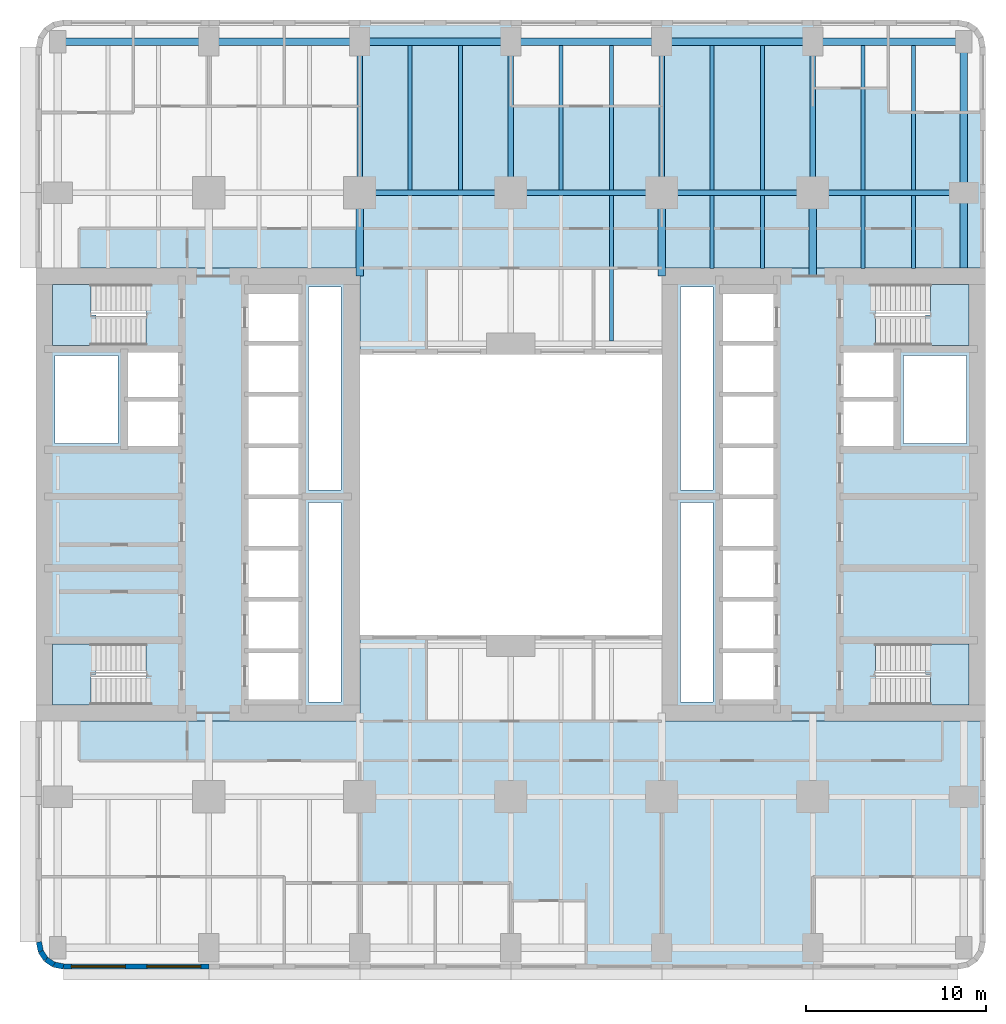
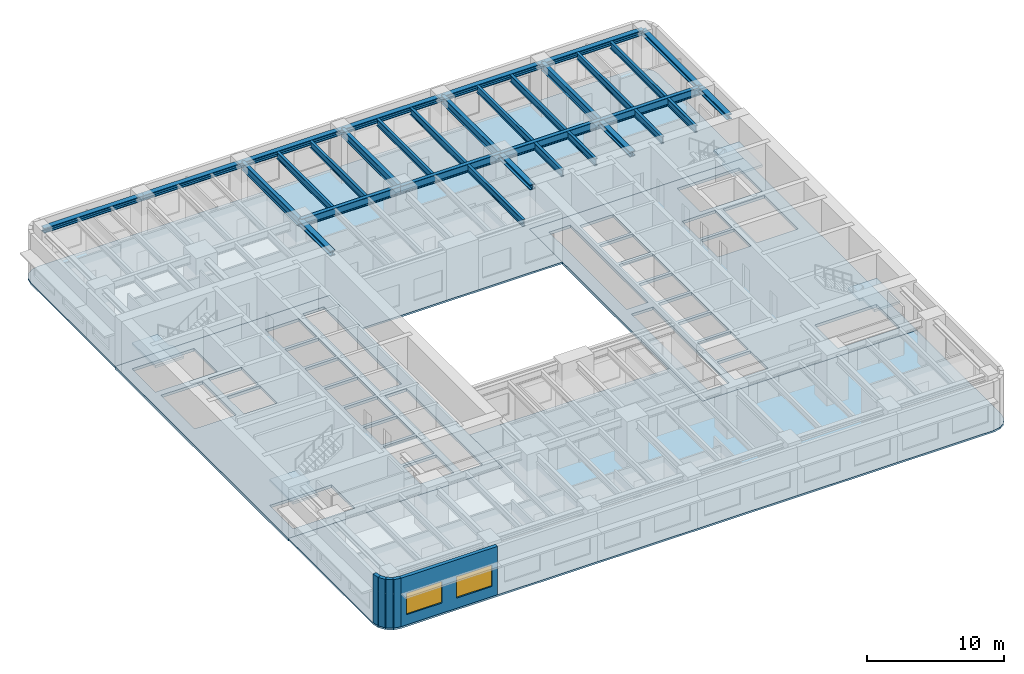
# One storey, part 2 of 13: 32 beams, 8 slabs, 5 walls, 2 windows, 2 openings, 4 elements without a shape of their own.
"""IFC4 building model written with IfcOpenShell, lengths in metres."""

from ifc_helpers import new_model, si_unit, direction, frame, frame_2d, origin, origin_2d, place, context, subcontext, project, spatial, polyline, rectangle, i_section, outline, extrude, material, layer, layer_set, material_profile, profile_set, type_object, element, fill, aggregate, save


model = new_model("IFC4")

# Units and contexts
model_context = context("Model", 3, precision=1e-05, world=origin(), true_north=direction((0.0, 1.0)))
body_context = subcontext(model_context, "Body", "Model", "MODEL_VIEW")
ifc_project = project(units=[si_unit("LENGTHUNIT", "METRE"), si_unit("AREAUNIT", "SQUARE_METRE"), si_unit("VOLUMEUNIT", "CUBIC_METRE"), si_unit("PLANEANGLEUNIT", "RADIAN"), si_unit("MASSUNIT", "GRAM", prefix="KILO")], contexts=[model_context])

# Site, building, storey
site_placement = place(None, origin())
site = spatial("IfcSite", under=ifc_project, at=site_placement, CompositionType="ELEMENT")
building_placement = place(site_placement, origin())
building = spatial("IfcBuilding", under=site, at=building_placement, Name="Claustro Exchange Tower", CompositionType="ELEMENT")
storey_placement = place(building_placement, frame((0.0, 0.0, 86.39990234375)))
storey = spatial("IfcBuildingStorey", under=building, at=storey_placement, Name="L19", CompositionType="ELEMENT", Elevation=86.39990234375)

# Beams
ifc_material_1 = material(Name="Steel S355", Category="steel")
ifc_material_profile_1 = material_profile(ifc_material_1, i_section(OverallWidth=0.300048828125, OverallDepth=0.699951171875, WebThickness=0.01708984375, FlangeThickness=0.031982421875, FilletRadius=0.027099609375, at=origin_2d()), Name="HE 700 B")
ifc_profile_set_1 = profile_set([ifc_material_profile_1], Name="Steel S355")
beam_type_1 = type_object("IfcBeamType", Name="B4 HE 700 B floor girder", PredefinedType="BEAM", material=ifc_profile_set_1)
for number, where, z_axis, x_axis, name in (
    (1, (16.800048828125, 42.0, 3.9501953125), (0.0, 1.0, 0.0), (-1.0, 0.0, 0.0), "Beam B4 L20"),
    (2, (25.199951171875, 42.0, 3.9501953125), (0.0, 1.0, 0.0), (-1.0, 0.0, 0.0), "Beam B4 L20"),
    (3, (33.60009765625, 42.0, 3.9501953125), (0.0, 1.0, 0.0), (-1.0, 0.0, 0.0), "Beam B4 L20"),
    (4, (42.0, 42.0, 3.9501953125), (0.0, 1.0, 0.0), (-1.0, 0.0, 0.0), "Beam B4 L20"),
    (5, (16.800048828125, 42.0, 3.9501953125), (1.0, 0.0, 0.0), (0.0, 1.0, 0.0), "Beam B4 L20"),
):
    element("IfcBeam", number, at=place(storey_placement, frame(where, z_axis=z_axis, x_axis=x_axis)), inside=storey, type_object=beam_type_1, Name=name, PredefinedType="BEAM", context=body_context, shape_type="SweptSolid", body=[
        extrude(i_section(OverallWidth=0.300048828125, OverallDepth=0.699951171875, WebThickness=0.01708984375, FlangeThickness=0.031982421875, FilletRadius=0.027099609375, at=origin_2d()), origin(), (0.0, 0.0, 1.0), 8.39990234375),
    ])
beam_1_placement = place(storey_placement, frame((25.199951171875, 42.0, 3.9501953125), z_axis=(1.0, 0.0, 0.0), x_axis=(0.0, 1.0, 0.0)))
element("IfcBeam", 6, at=beam_1_placement, inside=storey, type_object=beam_type_1, Name="Beam B4 L20", PredefinedType="BEAM", context=body_context, shape_type="SweptSolid", body=[
    extrude(i_section(OverallWidth=0.300048828125, OverallDepth=0.699951171875, WebThickness=0.01708984375, FlangeThickness=0.031982421875, FilletRadius=0.027099609375, at=origin_2d()), origin(), (0.0, 0.0, 1.0), 8.400146484375),
])
for number, where, z_axis, x_axis, name in (
    (7, (33.60009765625, 42.0, 3.9501953125), (1.0, 0.0, 0.0), (0.0, 1.0, 0.0), "Beam B4 L20"),
    (8, (42.0, 42.0, 3.9501953125), (1.0, 0.0, 0.0), (0.0, 1.0, 0.0), "Beam B4 L20"),
):
    element("IfcBeam", number, at=place(storey_placement, frame(where, z_axis=z_axis, x_axis=x_axis)), inside=storey, type_object=beam_type_1, Name=name, PredefinedType="BEAM", context=body_context, shape_type="SweptSolid", body=[
        extrude(i_section(OverallWidth=0.300048828125, OverallDepth=0.699951171875, WebThickness=0.01708984375, FlangeThickness=0.031982421875, FilletRadius=0.027099609375, at=origin_2d()), origin(), (0.0, 0.0, 1.0), 8.39990234375),
    ])
ifc_material_2 = material(Name="Steel S355", Category="steel")
ifc_material_profile_2 = material_profile(ifc_material_2, i_section(OverallWidth=0.219970703125, OverallDepth=0.60009765625, WebThickness=0.011962890625, FlangeThickness=0.01904296875, FilletRadius=0.02392578125, at=origin_2d()), Name="IPE 600")
ifc_profile_set_2 = profile_set([ifc_material_profile_2], Name="Steel S355")
beam_type_2 = type_object("IfcBeamType", Name="B5 IPE 600 secondary beam", PredefinedType="BEAM", material=ifc_profile_set_2)
for number, where, z_axis, x_axis, name in (
    (9, (19.60009765625, 42.14990234375, 4.0), (0.0, 1.0, 0.0), (-1.0, 0.0, 0.0), "Beam B5 L20"),
    (10, (22.39990234375, 42.14990234375, 4.0), (0.0, 1.0, 0.0), (-1.0, 0.0, 0.0), "Beam B5 L20"),
):
    element("IfcBeam", number, at=place(storey_placement, frame(where, z_axis=z_axis, x_axis=x_axis)), inside=storey, type_object=beam_type_2, Name=name, PredefinedType="BEAM", context=body_context, shape_type="SweptSolid", body=[
        extrude(i_section(OverallWidth=0.219970703125, OverallDepth=0.60009765625, WebThickness=0.011962890625, FlangeThickness=0.01904296875, FilletRadius=0.02392578125, at=origin_2d()), origin(), (0.0, 0.0, 1.0), 8.0419921875),
    ])
beam_2_placement = place(storey_placement, frame((30.800048828125, 33.75, 4.0), z_axis=(0.0, 1.0, 0.0), x_axis=(-1.0, 0.0, 0.0)))
element("IfcBeam", 11, at=beam_2_placement, inside=storey, type_object=beam_type_2, Name="Beam B5 L20", PredefinedType="BEAM", context=body_context, shape_type="SweptSolid", body=[
    extrude(i_section(OverallWidth=0.219970703125, OverallDepth=0.60009765625, WebThickness=0.011962890625, FlangeThickness=0.01904296875, FilletRadius=0.02392578125, at=origin_2d()), origin(), (0.0, 0.0, 1.0), 8.10009765625),
])
for number, where, z_axis, x_axis, name in (
    (12, (28.0, 42.14990234375, 4.0), (0.0, 1.0, 0.0), (-1.0, 0.0, 0.0), "Beam B5 L20"),
    (13, (30.800048828125, 42.14990234375, 4.0), (0.0, 1.0, 0.0), (-1.0, 0.0, 0.0), "Beam B5 L20"),
):
    element("IfcBeam", number, at=place(storey_placement, frame(where, z_axis=z_axis, x_axis=x_axis)), inside=storey, type_object=beam_type_2, Name=name, PredefinedType="BEAM", context=body_context, shape_type="SweptSolid", body=[
        extrude(i_section(OverallWidth=0.219970703125, OverallDepth=0.60009765625, WebThickness=0.011962890625, FlangeThickness=0.01904296875, FilletRadius=0.02392578125, at=origin_2d()), origin(), (0.0, 0.0, 1.0), 8.0419921875),
    ])
for number, where, z_axis, x_axis, name in (
    (14, (36.39990234375, 37.7900390625, 4.0), (0.0, 1.0, 0.0), (-1.0, 0.0, 0.0), "Beam B5 L20"),
    (15, (39.199951171875, 37.7900390625, 4.0), (0.0, 1.0, 0.0), (-1.0, 0.0, 0.0), "Beam B5 L20"),
):
    element("IfcBeam", number, at=place(storey_placement, frame(where, z_axis=z_axis, x_axis=x_axis)), inside=storey, type_object=beam_type_2, Name=name, PredefinedType="BEAM", context=body_context, shape_type="SweptSolid", body=[
        extrude(i_section(OverallWidth=0.219970703125, OverallDepth=0.60009765625, WebThickness=0.011962890625, FlangeThickness=0.01904296875, FilletRadius=0.02392578125, at=origin_2d()), origin(), (0.0, 0.0, 1.0), 4.06005859375),
    ])
for number, where, z_axis, x_axis, name in (
    (16, (36.39990234375, 42.14990234375, 4.0), (0.0, 1.0, 0.0), (-1.0, 0.0, 0.0), "Beam B5 L20"),
    (17, (39.199951171875, 42.14990234375, 4.0), (0.0, 1.0, 0.0), (-1.0, 0.0, 0.0), "Beam B5 L20"),
):
    element("IfcBeam", number, at=place(storey_placement, frame(where, z_axis=z_axis, x_axis=x_axis)), inside=storey, type_object=beam_type_2, Name=name, PredefinedType="BEAM", context=body_context, shape_type="SweptSolid", body=[
        extrude(i_section(OverallWidth=0.219970703125, OverallDepth=0.60009765625, WebThickness=0.011962890625, FlangeThickness=0.01904296875, FilletRadius=0.02392578125, at=origin_2d()), origin(), (0.0, 0.0, 1.0), 8.0419921875),
    ])
for number, where, z_axis, x_axis, name in (
    (18, (44.800048828125, 37.7900390625, 4.0), (0.0, 1.0, 0.0), (-1.0, 0.0, 0.0), "Beam B5 L20"),
    (19, (47.60009765625, 37.7900390625, 4.0), (0.0, 1.0, 0.0), (-1.0, 0.0, 0.0), "Beam B5 L20"),
):
    element("IfcBeam", number, at=place(storey_placement, frame(where, z_axis=z_axis, x_axis=x_axis)), inside=storey, type_object=beam_type_2, Name=name, PredefinedType="BEAM", context=body_context, shape_type="SweptSolid", body=[
        extrude(i_section(OverallWidth=0.219970703125, OverallDepth=0.60009765625, WebThickness=0.011962890625, FlangeThickness=0.01904296875, FilletRadius=0.02392578125, at=origin_2d()), origin(), (0.0, 0.0, 1.0), 4.06005859375),
    ])
for number, where, z_axis, x_axis, name in (
    (20, (44.800048828125, 42.14990234375, 4.0), (0.0, 1.0, 0.0), (-1.0, 0.0, 0.0), "Beam B5 L20"),
    (21, (47.60009765625, 42.14990234375, 4.0), (0.0, 1.0, 0.0), (-1.0, 0.0, 0.0), "Beam B5 L20"),
):
    element("IfcBeam", number, at=place(storey_placement, frame(where, z_axis=z_axis, x_axis=x_axis)), inside=storey, type_object=beam_type_2, Name=name, PredefinedType="BEAM", context=body_context, shape_type="SweptSolid", body=[
        extrude(i_section(OverallWidth=0.219970703125, OverallDepth=0.60009765625, WebThickness=0.011962890625, FlangeThickness=0.01904296875, FilletRadius=0.02392578125, at=origin_2d()), origin(), (0.0, 0.0, 1.0), 8.0419921875),
    ])
ifc_material_3 = material(Name="Steel S460", Category="steel")
ifc_material_profile_3 = material_profile(ifc_material_3, i_section(OverallWidth=0.416015625, OverallDepth=0.446044921875, WebThickness=0.0390625, FlangeThickness=0.062744140625, FilletRadius=0.014892578125, at=origin_2d()), Name="HD 400x509")
ifc_profile_set_3 = profile_set([ifc_material_profile_3], Name="Steel S460")
beam_type_3 = type_object("IfcBeamType", Name="BT1 HD 400x509 belt truss chord", PredefinedType="BEAM", material=ifc_profile_set_3)
beam_3_placement = place(storey_placement, frame((50.39990234375, 37.800048828125, 4.0771484375), z_axis=(0.0, 1.0, 0.0), x_axis=(-1.0, 0.0, 0.0)))
element("IfcBeam", 22, at=beam_3_placement, inside=storey, type_object=beam_type_3, Name="Beam BT1 L20", PredefinedType="BEAM", context=body_context, shape_type="SweptSolid", body=[
    extrude(i_section(OverallWidth=0.416015625, OverallDepth=0.446044921875, WebThickness=0.0390625, FlangeThickness=0.062744140625, FilletRadius=0.014892578125, at=origin_2d()), origin(), (0.0, 0.0, 1.0), 4.199951171875),
])
for number, where, z_axis, x_axis, name in (
    (23, (50.39990234375, 42.0, 4.0771484375), (0.0, 1.0, 0.0), (-1.0, 0.0, 0.0), "Beam BT1 L20"),
    (24, (0.0, 50.39990234375, 4.0771484375), (1.0, 0.0, 0.0), (0.0, 1.0, 0.0), "Beam BT1 L20"),
):
    element("IfcBeam", number, at=place(storey_placement, frame(where, z_axis=z_axis, x_axis=x_axis)), inside=storey, type_object=beam_type_3, Name=name, PredefinedType="BEAM", context=body_context, shape_type="SweptSolid", body=[
        extrude(i_section(OverallWidth=0.416015625, OverallDepth=0.446044921875, WebThickness=0.0390625, FlangeThickness=0.062744140625, FilletRadius=0.014892578125, at=origin_2d()), origin(), (0.0, 0.0, 1.0), 8.39990234375),
    ])
beam_4_placement = place(storey_placement, frame((8.39990234375, 50.39990234375, 4.0771484375), z_axis=(1.0, 0.0, 0.0), x_axis=(0.0, 1.0, 0.0)))
element("IfcBeam", 25, at=beam_4_placement, inside=storey, type_object=beam_type_3, Name="Beam BT1 L20", PredefinedType="BEAM", context=body_context, shape_type="SweptSolid", body=[
    extrude(i_section(OverallWidth=0.416015625, OverallDepth=0.446044921875, WebThickness=0.0390625, FlangeThickness=0.062744140625, FilletRadius=0.014892578125, at=origin_2d()), origin(), (0.0, 0.0, 1.0), 8.400146484375),
])
beam_5_placement = place(storey_placement, frame((16.800048828125, 50.39990234375, 4.0771484375), z_axis=(1.0, 0.0, 0.0), x_axis=(0.0, 1.0, 0.0)))
element("IfcBeam", 26, at=beam_5_placement, inside=storey, type_object=beam_type_3, Name="Beam BT1 L20", PredefinedType="BEAM", context=body_context, shape_type="SweptSolid", body=[
    extrude(i_section(OverallWidth=0.416015625, OverallDepth=0.446044921875, WebThickness=0.0390625, FlangeThickness=0.062744140625, FilletRadius=0.014892578125, at=origin_2d()), origin(), (0.0, 0.0, 1.0), 8.39990234375),
])
beam_6_placement = place(storey_placement, frame((25.199951171875, 50.39990234375, 4.0771484375), z_axis=(1.0, 0.0, 0.0), x_axis=(0.0, 1.0, 0.0)))
element("IfcBeam", 27, at=beam_6_placement, inside=storey, type_object=beam_type_3, Name="Beam BT1 L20", PredefinedType="BEAM", context=body_context, shape_type="SweptSolid", body=[
    extrude(i_section(OverallWidth=0.416015625, OverallDepth=0.446044921875, WebThickness=0.0390625, FlangeThickness=0.062744140625, FilletRadius=0.014892578125, at=origin_2d()), origin(), (0.0, 0.0, 1.0), 8.400146484375),
])
for number, where, z_axis, x_axis, name in (
    (28, (33.60009765625, 50.39990234375, 4.0771484375), (1.0, 0.0, 0.0), (0.0, 1.0, 0.0), "Beam BT1 L20"),
    (29, (42.0, 50.39990234375, 4.0771484375), (1.0, 0.0, 0.0), (0.0, 1.0, 0.0), "Beam BT1 L20"),
):
    element("IfcBeam", number, at=place(storey_placement, frame(where, z_axis=z_axis, x_axis=x_axis)), inside=storey, type_object=beam_type_3, Name=name, PredefinedType="BEAM", context=body_context, shape_type="SweptSolid", body=[
        extrude(i_section(OverallWidth=0.416015625, OverallDepth=0.446044921875, WebThickness=0.0390625, FlangeThickness=0.062744140625, FilletRadius=0.014892578125, at=origin_2d()), origin(), (0.0, 0.0, 1.0), 8.39990234375),
    ])
ifc_material_4 = material(Name="Steel S460", Category="steel")
ifc_material_profile_4 = material_profile(ifc_material_4, i_section(OverallWidth=0.416015625, OverallDepth=0.446044921875, WebThickness=0.0390625, FlangeThickness=0.062744140625, FilletRadius=0.014892578125, at=origin_2d()), Name="HD 400x509")
ifc_profile_set_4 = profile_set([ifc_material_profile_4], Name="Steel S460")
beam_type_4 = type_object("IfcBeamType", Name="OT1 HD 400x509 OUTRIGGER truss chord", PredefinedType="BEAM", material=ifc_profile_set_4)
for number, where, z_axis, x_axis, name in (
    (30, (16.800048828125, 37.35009765625, 4.027099609375), (0.0, 1.0, 0.0), (-1.0, 0.0, 0.0), "Beam OT1 L20"),
    (31, (33.60009765625, 37.35009765625, 4.027099609375), (0.0, 1.0, 0.0), (-1.0, 0.0, 0.0), "Beam OT1 L20"),
    (32, (42.0, 37.35009765625, 4.027099609375), (0.0, 1.0, 0.0), (-1.0, 0.0, 0.0), "Beam OT1 L20"),
):
    element("IfcBeam", number, at=place(storey_placement, frame(where, z_axis=z_axis, x_axis=x_axis)), inside=storey, type_object=beam_type_4, Name=name, PredefinedType="BEAM", context=body_context, shape_type="SweptSolid", body=[
        extrude(i_section(OverallWidth=0.416015625, OverallDepth=0.446044921875, WebThickness=0.0390625, FlangeThickness=0.062744140625, FilletRadius=0.014892578125, at=origin_2d()), origin(), (0.0, 0.0, 1.0), 4.64990234375),
    ])

# Slabs
ifc_material_5 = material(Name="Concrete HA-50 (C50/60)", Category="concrete")
ifc_layer_1 = layer(ifc_material_5, 0.159912109375)
ifc_layer_set_1 = layer_set([ifc_layer_1], Name="Concrete HA-50 (C50/60)")
slab_type_1 = type_object("IfcSlabType", Name="S1 160 composite floor slab", PredefinedType="FLOOR", material=ifc_layer_set_1)
slab_1_placement = place(storey_placement, frame((0.0, 0.0, -0.159912109375)))
element("IfcSlab", 33, at=slab_1_placement, inside=storey, type_object=slab_type_1, Name="Floor slab S1 S L19", PredefinedType="FLOOR", context=body_context, shape_type="SweptSolid", body=[
    extrude(outline(polyline([(-0.27392578125, -1.085693359375), (0.300048828125, -1.199951171875), (50.10009765625, -1.199951171875), (50.674072265625, -1.085693359375), (51.16064453125, -0.7607421875), (51.48583984375, -0.27392578125), (51.60009765625, 0.300048828125), (51.60009765625, 12.60009765625), (33.60009765625, 12.60009765625), (33.60009765625, 17.39990234375), (16.800048828125, 17.39990234375), (16.800048828125, 12.60009765625), (-1.199951171875, 12.60009765625), (-1.199951171875, 0.300048828125), (-1.085693359375, -0.27392578125), (-0.7607421875, -0.7607421875), (-0.27392578125, -1.085693359375)])), origin(), (0.0, 0.0, 1.0), 0.159912109375),
])
slab_2_placement = place(storey_placement, frame((0.0, 0.0, -0.159912109375)))
element("IfcSlab", 34, at=slab_2_placement, inside=storey, type_object=slab_type_1, Name="Floor slab S1 N L19", PredefinedType="FLOOR", context=body_context, shape_type="SweptSolid", body=[
    extrude(outline(polyline([(16.800048828125, 37.800048828125), (16.800048828125, 33.0), (33.60009765625, 33.0), (33.60009765625, 37.800048828125), (51.60009765625, 37.800048828125), (51.60009765625, 50.10009765625), (51.48583984375, 50.674072265625), (51.16064453125, 51.16064453125), (50.674072265625, 51.48583984375), (50.10009765625, 51.60009765625), (0.300048828125, 51.60009765625), (-0.27392578125, 51.48583984375), (-0.7607421875, 51.16064453125), (-1.085693359375, 50.674072265625), (-1.199951171875, 50.10009765625), (-1.199951171875, 37.800048828125), (16.800048828125, 37.800048828125)])), origin(), (0.0, 0.0, 1.0), 0.159912109375),
])
ifc_material_6 = material(Name="Concrete HA-50 (C50/60)", Category="concrete")
ifc_layer_2 = layer(ifc_material_6, 0.25)
ifc_layer_set_2 = layer_set([ifc_layer_2], Name="Concrete HA-50 (C50/60)")
slab_type_2 = type_object("IfcSlabType", Name="S7 250 core floor slab", PredefinedType="FLOOR", material=ifc_layer_set_2)
slab_3_placement = place(storey_placement, frame((0.0, 0.0, -0.25)))
element("IfcSlab", 35, at=slab_3_placement, inside=storey, type_object=slab_type_2, Name="Core floor slab S7 W core L19", PredefinedType="FLOOR", context=body_context, shape_type="SweptSolid", body=[
    extrude(outline(polyline([(-1.199951171875, 12.60009765625), (16.800048828125, 12.60009765625), (16.800048828125, 37.800048828125), (-1.199951171875, 37.800048828125), (-1.199951171875, 12.60009765625)]), holes=[polyline([(15.75, 24.75), (15.75, 13.64990234375), (13.949951171875, 13.64990234375), (13.949951171875, 24.75), (15.75, 24.75)]), polyline([(15.75, 36.75), (15.75, 25.449951171875), (13.949951171875, 25.449951171875), (13.949951171875, 36.75), (15.75, 36.75)]), polyline([(10.60009765625, 16.39990234375), (13.39990234375, 16.39990234375), (13.39990234375, 13.800048828125), (10.60009765625, 13.800048828125), (10.60009765625, 16.39990234375)]), polyline([(13.39990234375, 19.25), (13.39990234375, 16.64990234375), (10.60009765625, 16.64990234375), (10.60009765625, 19.25), (13.39990234375, 19.25)]), polyline([(13.39990234375, 22.10009765625), (13.39990234375, 19.5), (10.60009765625, 19.5), (10.60009765625, 22.10009765625), (13.39990234375, 22.10009765625)]), polyline([(13.39990234375, 24.949951171875), (13.39990234375, 22.35009765625), (10.60009765625, 22.35009765625), (10.60009765625, 24.949951171875), (13.39990234375, 24.949951171875)]), polyline([(13.39990234375, 27.800048828125), (13.39990234375, 25.199951171875), (10.60009765625, 25.199951171875), (10.60009765625, 27.800048828125), (13.39990234375, 27.800048828125)]), polyline([(13.39990234375, 30.64990234375), (13.39990234375, 28.050048828125), (10.60009765625, 28.050048828125), (10.60009765625, 30.64990234375), (13.39990234375, 30.64990234375)]), polyline([(13.39990234375, 33.5), (13.39990234375, 30.89990234375), (10.60009765625, 30.89990234375), (10.60009765625, 33.5), (13.39990234375, 33.5)]), polyline([(13.39990234375, 36.35009765625), (13.39990234375, 33.75), (10.60009765625, 33.75), (10.60009765625, 36.35009765625), (13.39990234375, 36.35009765625)]), polyline([(6.699951171875, 30.375), (6.699951171875, 27.89990234375), (3.89990234375, 27.89990234375), (3.89990234375, 30.375), (6.699951171875, 30.375)]), polyline([(6.699951171875, 33.10009765625), (6.699951171875, 30.625), (3.89990234375, 30.625), (3.89990234375, 33.10009765625), (6.699951171875, 33.10009765625)]), polyline([(-0.300048828125, 15.199951171875), (-0.300048828125, 16.89990234375), (4.9150390625, 16.89990234375), (4.9150390625, 15.199951171875), (4.919921875, 15.199951171875), (4.919921875, 13.5), (-0.300048828125, 13.5), (-0.300048828125, 15.199951171875)]), polyline([(-0.300048828125, 36.89990234375), (4.919921875, 36.89990234375), (4.919921875, 35.199951171875), (4.9150390625, 35.199951171875), (4.9150390625, 33.5), (-0.300048828125, 33.5), (-0.300048828125, 35.199951171875), (-0.300048828125, 36.89990234375)]), polyline([(3.35009765625, 32.949951171875), (3.35009765625, 28.050048828125), (-0.14990234375, 28.050048828125), (-0.14990234375, 32.949951171875), (3.35009765625, 32.949951171875)])]), origin(), (0.0, 0.0, 1.0), 0.25),
])
slab_4_placement = place(storey_placement, frame((0.0, 0.0, -0.25)))
element("IfcSlab", 36, at=slab_4_placement, inside=storey, type_object=slab_type_2, Name="Core floor slab S7 E core L19", PredefinedType="FLOOR", context=body_context, shape_type="SweptSolid", body=[
    extrude(outline(polyline([(33.60009765625, 12.60009765625), (51.60009765625, 12.60009765625), (51.60009765625, 37.800048828125), (33.60009765625, 37.800048828125), (33.60009765625, 12.60009765625)]), holes=[polyline([(45.47998046875, 35.199951171875), (45.47998046875, 36.89990234375), (50.699951171875, 36.89990234375), (50.699951171875, 35.199951171875), (50.699951171875, 33.5), (45.485107421875, 33.5), (45.485107421875, 35.199951171875), (45.47998046875, 35.199951171875)]), polyline([(45.485107421875, 15.199951171875), (45.485107421875, 16.89990234375), (50.699951171875, 16.89990234375), (50.699951171875, 15.199951171875), (50.699951171875, 13.5), (45.47998046875, 13.5), (45.47998046875, 15.199951171875), (45.485107421875, 15.199951171875)]), polyline([(50.550048828125, 32.949951171875), (50.550048828125, 28.050048828125), (47.050048828125, 28.050048828125), (47.050048828125, 32.949951171875), (50.550048828125, 32.949951171875)]), polyline([(46.5, 30.375), (46.5, 27.89990234375), (43.699951171875, 27.89990234375), (43.699951171875, 30.375), (46.5, 30.375)]), polyline([(46.5, 33.10009765625), (46.5, 30.625), (43.699951171875, 30.625), (43.699951171875, 33.10009765625), (46.5, 33.10009765625)]), polyline([(37.0, 16.39990234375), (39.800048828125, 16.39990234375), (39.800048828125, 13.800048828125), (37.0, 13.800048828125), (37.0, 16.39990234375)]), polyline([(39.800048828125, 19.25), (39.800048828125, 16.64990234375), (37.0, 16.64990234375), (37.0, 19.25), (39.800048828125, 19.25)]), polyline([(39.800048828125, 22.10009765625), (39.800048828125, 19.5), (37.0, 19.5), (37.0, 22.10009765625), (39.800048828125, 22.10009765625)]), polyline([(39.800048828125, 24.949951171875), (39.800048828125, 22.35009765625), (37.0, 22.35009765625), (37.0, 24.949951171875), (39.800048828125, 24.949951171875)]), polyline([(39.800048828125, 27.800048828125), (39.800048828125, 25.199951171875), (37.0, 25.199951171875), (37.0, 27.800048828125), (39.800048828125, 27.800048828125)]), polyline([(39.800048828125, 30.64990234375), (39.800048828125, 28.050048828125), (37.0, 28.050048828125), (37.0, 30.64990234375), (39.800048828125, 30.64990234375)]), polyline([(39.800048828125, 33.5), (39.800048828125, 30.89990234375), (37.0, 30.89990234375), (37.0, 33.5), (39.800048828125, 33.5)]), polyline([(39.800048828125, 36.35009765625), (39.800048828125, 33.75), (37.0, 33.75), (37.0, 36.35009765625), (39.800048828125, 36.35009765625)]), polyline([(36.449951171875, 24.75), (36.449951171875, 13.64990234375), (34.64990234375, 13.64990234375), (34.64990234375, 24.75), (36.449951171875, 24.75)]), polyline([(36.449951171875, 36.75), (36.449951171875, 25.449951171875), (34.64990234375, 25.449951171875), (34.64990234375, 36.75), (36.449951171875, 36.75)])]), origin(), (0.0, 0.0, 1.0), 0.25),
])

# Stair, slab
ifc_material_7 = material(Name="Concrete HA-30 (C30/37), precast", Category="concrete")
stair_type = type_object("IfcStairType", Name="ST2 half-turn stair, 25 risers of 180", PredefinedType="HALF_TURN_STAIR", material=ifc_material_7)
stair_1_placement = place(storey_placement, origin())
stair_1 = element("IfcStair", 37, at=stair_1_placement, inside=storey, type_object=stair_type, Name="Stair STWA L19", PredefinedType="HALF_TURN_STAIR")
ifc_material_8 = material(Name="Concrete HA-30 (C30/37), precast", Category="concrete")
ifc_layer_3 = layer(ifc_material_8, 0.199951171875)
ifc_layer_set_3 = layer_set([ifc_layer_3], Name="Concrete HA-30 (C30/37), precast")
slab_type_3 = type_object("IfcSlabType", Name="S9 200 stair landing", PredefinedType="LANDING", material=ifc_layer_set_3)
slab_5_placement = place(storey_placement, frame((0.0, 0.0, 2.14013671875)))
slab_5 = element("IfcSlab", 38, at=slab_5_placement, type_object=slab_type_3, Name="STWA landing 1", PredefinedType="LANDING", context=body_context, shape_type="SweptSolid", body=[
    extrude(outline(polyline([(1.844970703125, 13.5), (-0.300048828125, 13.5), (-0.300048828125, 16.89990234375), (1.840087890625, 16.89990234375), (1.844970703125, 16.89990234375), (2.1201171875, 16.89990234375), (2.1201171875, 15.199951171875), (1.844970703125, 15.199951171875), (1.844970703125, 13.5)])), origin(), (0.0, 0.0, 1.0), 0.199951171875),
])
aggregate(stair_1, [slab_5])

stair_2_placement = place(storey_placement, origin())
stair_2 = element("IfcStair", 39, at=stair_2_placement, inside=storey, type_object=stair_type, Name="Stair STWB L19", PredefinedType="HALF_TURN_STAIR")
slab_6_placement = place(storey_placement, frame((0.0, 0.0, 2.14013671875)))
slab_6 = element("IfcSlab", 40, at=slab_6_placement, type_object=slab_type_3, Name="STWB landing 1", PredefinedType="LANDING", context=body_context, shape_type="SweptSolid", body=[
    extrude(outline(polyline([(2.1201171875, 35.199951171875), (2.1201171875, 33.5), (1.844970703125, 33.5), (1.840087890625, 33.5), (-0.300048828125, 33.5), (-0.300048828125, 36.89990234375), (1.844970703125, 36.89990234375), (1.844970703125, 35.199951171875), (2.1201171875, 35.199951171875)])), origin(), (0.0, 0.0, 1.0), 0.199951171875),
])
aggregate(stair_2, [slab_6])

stair_3_placement = place(storey_placement, origin())
stair_3 = element("IfcStair", 41, at=stair_3_placement, inside=storey, type_object=stair_type, Name="Stair STEA L19", PredefinedType="HALF_TURN_STAIR")
slab_7_placement = place(storey_placement, frame((0.0, 0.0, 2.14013671875)))
slab_7 = element("IfcSlab", 42, at=slab_7_placement, type_object=slab_type_3, Name="STEA landing 1", PredefinedType="LANDING", context=body_context, shape_type="SweptSolid", body=[
    extrude(outline(polyline([(50.699951171875, 16.89990234375), (50.699951171875, 13.5), (48.554931640625, 13.5), (48.554931640625, 15.199951171875), (48.280029296875, 15.199951171875), (48.280029296875, 16.89990234375), (48.554931640625, 16.89990234375), (48.56005859375, 16.89990234375), (50.699951171875, 16.89990234375)])), origin(), (0.0, 0.0, 1.0), 0.199951171875),
])
aggregate(stair_3, [slab_7])

stair_4_placement = place(storey_placement, origin())
stair_4 = element("IfcStair", 43, at=stair_4_placement, inside=storey, type_object=stair_type, Name="Stair STEB L19", PredefinedType="HALF_TURN_STAIR")
slab_8_placement = place(storey_placement, frame((0.0, 0.0, 2.14013671875)))
slab_8 = element("IfcSlab", 44, at=slab_8_placement, type_object=slab_type_3, Name="STEB landing 1", PredefinedType="LANDING", context=body_context, shape_type="SweptSolid", body=[
    extrude(outline(polyline([(48.280029296875, 33.5), (48.280029296875, 35.199951171875), (48.554931640625, 35.199951171875), (48.554931640625, 36.89990234375), (50.699951171875, 36.89990234375), (50.699951171875, 33.5), (48.56005859375, 33.5), (48.554931640625, 33.5), (48.280029296875, 33.5)])), origin(), (0.0, 0.0, 1.0), 0.199951171875),
])
aggregate(stair_4, [slab_8])

# Wall, openings, windows
ifc_material_9 = material(Name="Concrete HA-40 (C40/50), precast, white cement, acid-etched", Category="concrete")
ifc_layer_4 = layer(ifc_material_9, 0.300048828125)
ifc_layer_set_4 = layer_set([ifc_layer_4], Name="Concrete HA-40 (C40/50), precast, white cement, acid-etched")
wall_type = type_object("IfcWallType", Name="PC1 300 precast concrete pier panel", PredefinedType="SOLIDWALL", material=ifc_layer_set_4)
wall_1_placement = place(storey_placement, frame((8.39990234375, -1.050048828125, 0.0), z_axis=(0.0, 0.0, 1.0), x_axis=(-1.0, 0.0, 0.0)))
wall_1 = element("IfcWall", 45, at=wall_1_placement, inside=storey, type_object=wall_type, Name="Precast pier panel PC1 L19", PredefinedType="SOLIDWALL", context=body_context, shape_type="SweptSolid", body=[
    extrude(rectangle(XDim=8.085205078125, YDim=0.300048828125, at=frame_2d((4.04248046875, 0.0))), origin(), (0.0, 0.0, 1.0), 4.300048828125),
])
opening_1_placement = place(wall_1_placement, frame((0.442626953125, 0.0, 0.89990234375)))
opening_1 = element("IfcOpeningElement", 46, at=opening_1_placement, cuts=wall_1, Name="Opening W1", PredefinedType="OPENING", context=body_context, shape_type="SweptSolid", body=[
    extrude(rectangle(XDim=3.0, YDim=1.89990234375, at=frame_2d((1.5, 0.949951171875))), frame((0.0, 0.159912109375, 0.0), z_axis=(0.0, -1.0, 0.0), x_axis=(1.0, 0.0, 0.0)), (0.0, 0.0, 1.0), 0.320068359375),
])
opening_2_placement = place(wall_1_placement, frame((4.642578125, 0.0, 0.89990234375)))
opening_2 = element("IfcOpeningElement", 47, at=opening_2_placement, cuts=wall_1, Name="Opening W1", PredefinedType="OPENING", context=body_context, shape_type="SweptSolid", body=[
    extrude(rectangle(XDim=3.0, YDim=1.89990234375, at=frame_2d((1.5, 0.949951171875))), frame((0.0, 0.159912109375, 0.0), z_axis=(0.0, -1.0, 0.0), x_axis=(1.0, 0.0, 0.0)), (0.0, 0.0, 1.0), 0.320068359375),
])
ifc_material_10 = material(Name="Aluminium frame, clear double glazing", Category="aluminium")
window_type = type_object("IfcWindowType", Name="W1 3000 x 1900 window", PartitioningType="SINGLE_PANEL", PredefinedType="WINDOW", material=ifc_material_10)
window_1_placement = place(opening_1_placement, origin())
window_1 = element("IfcWindow", 48, at=window_1_placement, inside=storey, type_object=window_type, Name="Window W1 L19", OverallHeight=1.89990234375, OverallWidth=3.0, PartitioningType="SINGLE_PANEL", PredefinedType="WINDOW", context=body_context, shape_type="SweptSolid", body=[
    extrude(rectangle(XDim=3.0, YDim=1.89990234375, at=frame_2d((1.5, 0.949951171875))), frame((0.0, 0.030029296875, 0.0), z_axis=(0.0, -1.0, 0.0), x_axis=(1.0, 0.0, 0.0)), (0.0, 0.0, 1.0), 0.06005859375),
])
fill(opening_1, window_1)
window_2_placement = place(opening_2_placement, origin())
window_2 = element("IfcWindow", 49, at=window_2_placement, inside=storey, type_object=window_type, Name="Window W1 L19", OverallHeight=1.89990234375, OverallWidth=3.0, PartitioningType="SINGLE_PANEL", PredefinedType="WINDOW", context=body_context, shape_type="SweptSolid", body=[
    extrude(rectangle(XDim=3.0, YDim=1.89990234375, at=frame_2d((1.5, 0.949951171875))), frame((0.0, 0.030029296875, 0.0), z_axis=(0.0, -1.0, 0.0), x_axis=(1.0, 0.0, 0.0)), (0.0, 0.0, 1.0), 0.06005859375),
])
fill(opening_2, window_2)

# Walls
wall_2_placement = place(storey_placement, frame((0.314697265625, -1.050048828125, 0.0), z_axis=(0.0, 0.0, 1.0), x_axis=(-0.980788534345, 0.195073962632, 0.0)))
element("IfcWall", 50, at=wall_2_placement, inside=storey, type_object=wall_type, Name="Precast pier panel PC1 L19", PredefinedType="SOLIDWALL", context=body_context, shape_type="SweptSolid", body=[
    extrude(rectangle(XDim=0.540771484375, YDim=0.300048828125, at=frame_2d((0.2705078125, 0.0))), origin(), (0.0, 0.0, 1.0), 4.300048828125),
])
for number, where, z_axis, x_axis, name in (
    (51, (-0.215576171875, -0.944580078125, 0.0), (0.0, 0.0, 1.0), (-0.831478144188, 0.555557463938, 0.0), "Precast pier panel PC1 L19"),
    (52, (-0.652587890625, -0.652587890625, 0.0), (0.0, 0.0, 1.0), (-0.555557463938, 0.831478144188, 0.0), "Precast pier panel PC1 L19"),
):
    element("IfcWall", number, at=place(storey_placement, frame(where, z_axis=z_axis, x_axis=x_axis)), inside=storey, type_object=wall_type, Name=name, PredefinedType="SOLIDWALL", context=body_context, shape_type="SweptSolid", body=[
        extrude(rectangle(XDim=0.525634765625, YDim=0.300048828125, at=frame_2d((0.2626953125, 0.0))), origin(), (0.0, 0.0, 1.0), 4.300048828125),
    ])
wall_3_placement = place(storey_placement, frame((-0.944580078125, -0.215576171875, 0.0), z_axis=(0.0, 0.0, 1.0), x_axis=(-0.195073962632, 0.980788534345, 0.0)))
element("IfcWall", 53, at=wall_3_placement, inside=storey, type_object=wall_type, Name="Precast pier panel PC1 L19", PredefinedType="SOLIDWALL", context=body_context, shape_type="SweptSolid", body=[
    extrude(rectangle(XDim=0.540771484375, YDim=0.300048828125, at=frame_2d((0.2705078125, 0.0))), origin(), (0.0, 0.0, 1.0), 4.300048828125),
])

save(model, "model.ifc")
